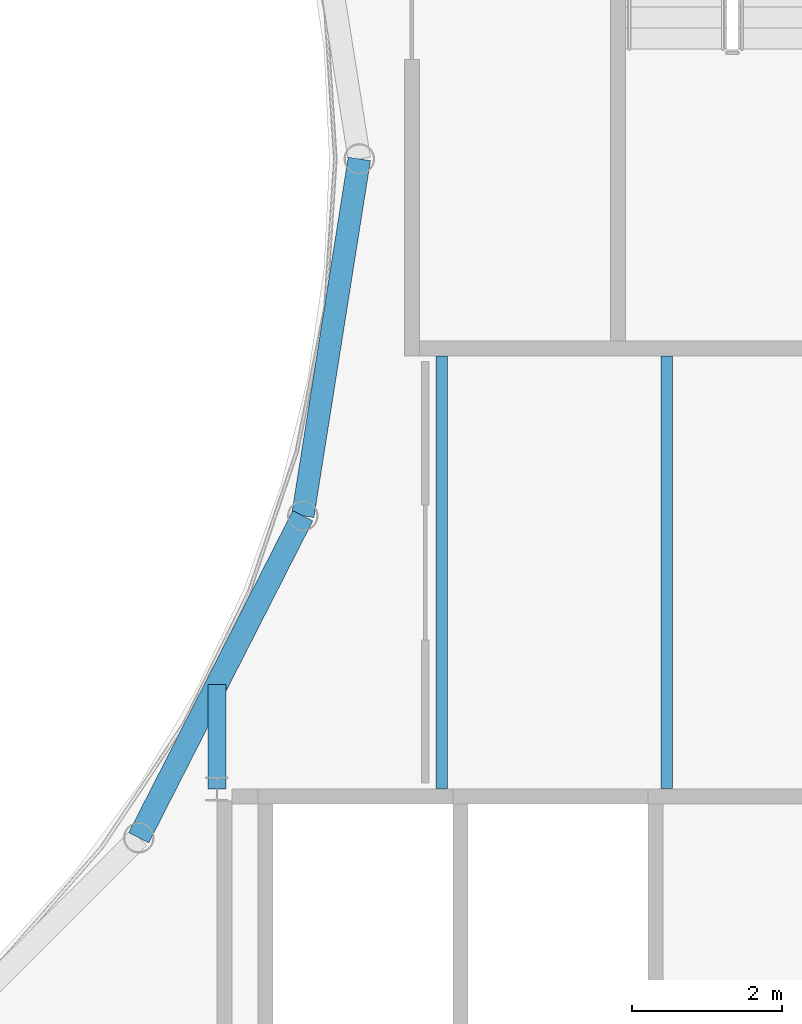
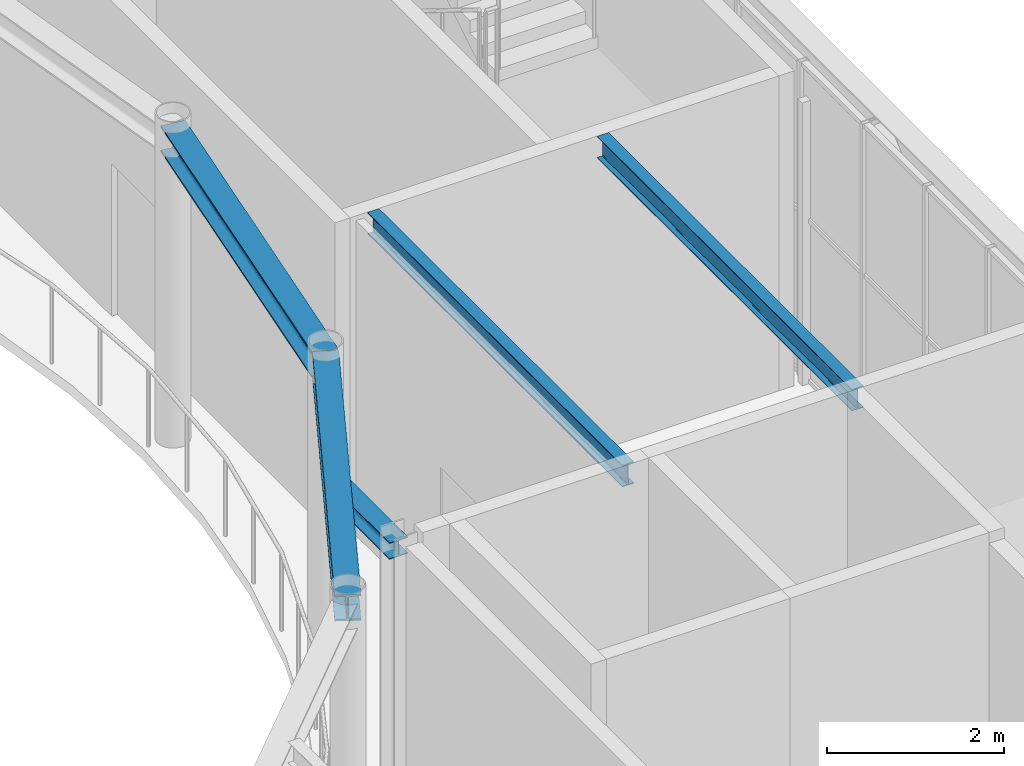
# One storey, part 43 of 111: 5 beams.
"""IFC4 building model written with IfcOpenShell, lengths in metres."""

from ifc_helpers import new_model, si_unit, direction, frame, origin, origin_2d, place, context, subcontext, project, spatial, i_section, extrude, material, material_profile, profile_set, type_object, element, save


model = new_model("IFC4")

# Units and contexts
model_context = context("Model", 3, precision=1e-05, world=origin(), true_north=direction((0.0, 1.0)))
body_context = subcontext(model_context, "Body", "Model", "MODEL_VIEW")
ifc_project = project(units=[si_unit("LENGTHUNIT", "METRE"), si_unit("AREAUNIT", "SQUARE_METRE"), si_unit("VOLUMEUNIT", "CUBIC_METRE"), si_unit("PLANEANGLEUNIT", "RADIAN"), si_unit("MASSUNIT", "GRAM", prefix="KILO")], contexts=[model_context])

# Site, building, storey
site_placement = place(None, origin())
site = spatial("IfcSite", under=ifc_project, at=site_placement, CompositionType="ELEMENT")
building_placement = place(site_placement, origin())
building = spatial("IfcBuilding", under=site, at=building_placement, Name="Kallimachos Central Library", CompositionType="ELEMENT")
storey_placement = place(building_placement, frame((0.0, 0.0, 14.39990234375)))
storey = spatial("IfcBuildingStorey", under=building, at=storey_placement, Name="L03", CompositionType="ELEMENT", Elevation=14.39990234375)

# Beams
ifc_material_1 = material(Name="Steel S355J2", Category="steel")
ifc_material_profile_1 = material_profile(ifc_material_1, i_section(OverallWidth=0.239990234375, OverallDepth=0.22998046875, WebThickness=0.007568359375, FlangeThickness=0.011962890625, FilletRadius=0.02099609375, at=origin_2d()), Name="HEA 240")
ifc_profile_set_1 = profile_set([ifc_material_profile_1], Name="Steel S355J2")
beam_type_1 = type_object("IfcBeamType", Name="HEA 240 beam", PredefinedType="BEAM", material=ifc_profile_set_1)
beam_placement = place(storey_placement, frame((101.5, 96.0, 4.235107421875), z_axis=(0.0, 1.0, 0.0), x_axis=(-1.0, 0.0, 0.0)))
element("IfcBeam", 1, at=beam_placement, inside=storey, type_object=beam_type_1, Name="V1-BEM-L03-032", PredefinedType="BEAM", context=body_context, shape_type="SweptSolid", body=[
    extrude(i_section(OverallWidth=0.239990234375, OverallDepth=0.22998046875, WebThickness=0.007568359375, FlangeThickness=0.011962890625, FilletRadius=0.02099609375, at=origin_2d()), origin(), (0.0, 0.0, 1.0), 1.391357421875),
])
ifc_material_2 = material(Name="Steel S355J2", Category="steel")
ifc_material_profile_2 = material_profile(ifc_material_2, i_section(OverallWidth=0.300048828125, OverallDepth=0.360107421875, WebThickness=0.012451171875, FlangeThickness=0.0224609375, FilletRadius=0.027099609375, at=origin_2d()), Name="HEB 360")
ifc_profile_set_2 = profile_set([ifc_material_profile_2], Name="Steel S355J2")
beam_type_2 = type_object("IfcBeamType", Name="HEB 360 beam", PredefinedType="BEAM", material=ifc_profile_set_2)
for number, where, z_axis, x_axis, name in (
    (2, (100.458984375, 95.34814453125, 4.170166015625), (0.453970566426, 0.891016680438, 0.0), (-0.891016680438, 0.453970566426, 0.0), "V1-BEM-L03-019"),
    (3, (102.646240234375, 99.64111328125, 4.170166015625), (0.156423119957, 0.987690137413, 0.0), (-0.987690137413, 0.156423119957, 0.0), "V1-BEM-L03-020"),
):
    element("IfcBeam", number, at=place(storey_placement, frame(where, z_axis=z_axis, x_axis=x_axis)), inside=storey, type_object=beam_type_2, Name=name, PredefinedType="BEAM", context=body_context, shape_type="SweptSolid", body=[
        extrude(i_section(OverallWidth=0.300048828125, OverallDepth=0.360107421875, WebThickness=0.012451171875, FlangeThickness=0.0224609375, FilletRadius=0.027099609375, at=origin_2d()), origin(), (0.0, 0.0, 1.0), 4.818115234375),
    ])
ifc_material_3 = material(Name="Steel S355J2", Category="steel")
ifc_material_profile_3 = material_profile(ifc_material_3, i_section(OverallWidth=0.14990234375, OverallDepth=0.300048828125, WebThickness=0.007080078125, FlangeThickness=0.0107421875, FilletRadius=0.014892578125, at=origin_2d()), Name="IPE 300")
ifc_profile_set_3 = profile_set([ifc_material_profile_3], Name="Steel S355J2")
beam_type_3 = type_object("IfcBeamType", Name="IPE 300 beam", PredefinedType="BEAM", material=ifc_profile_set_3)
for number, where, z_axis, x_axis, name in (
    (4, (104.5, 96.0048828125, 4.2001953125), (0.0, 1.0, 0.0), (-1.0, 0.0, 0.0), "V1-BEM-L03-065"),
    (5, (107.5, 96.0048828125, 4.2001953125), (0.0, 1.0, 0.0), (-1.0, 0.0, 0.0), "V1-BEM-L03-067"),
):
    element("IfcBeam", number, at=place(storey_placement, frame(where, z_axis=z_axis, x_axis=x_axis)), inside=storey, type_object=beam_type_3, Name=name, PredefinedType="BEAM", context=body_context, shape_type="SweptSolid", body=[
        extrude(i_section(OverallWidth=0.14990234375, OverallDepth=0.300048828125, WebThickness=0.007080078125, FlangeThickness=0.0107421875, FilletRadius=0.014892578125, at=origin_2d()), origin(), (0.0, 0.0, 1.0), 5.76513671875),
    ])

save(model, "model.ifc")
